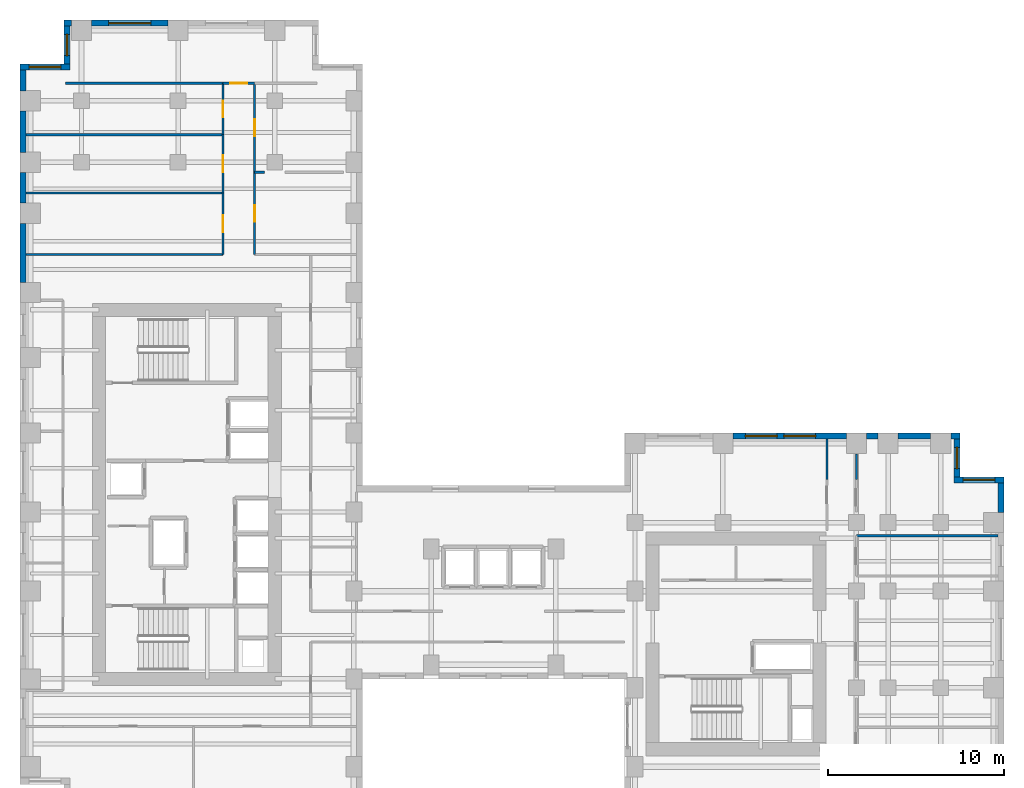
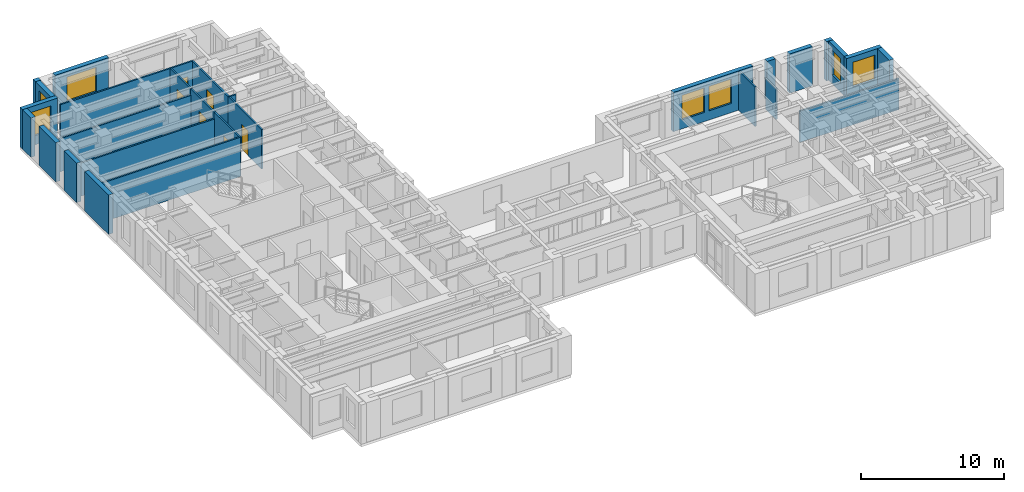
# One storey, part 9 of 12: 29 walls, 7 windows, 6 doors, 13 openings.
"""IFC4 building model written with IfcOpenShell, lengths in metres."""

from ifc_helpers import new_model, si_unit, direction, frame, frame_2d, origin, place, context, subcontext, project, spatial, rectangle, extrude, source, transform, mapped, material, layer, layer_set, type_object, element, fill, save


model = new_model("IFC4")

# Units and contexts
model_context = context("Model", 3, precision=1e-05, world=origin(), true_north=direction((0.0, 1.0)))
body_context = subcontext(model_context, "Body", "Model", "MODEL_VIEW")
ifc_project = project(units=[si_unit("LENGTHUNIT", "METRE"), si_unit("AREAUNIT", "SQUARE_METRE"), si_unit("VOLUMEUNIT", "CUBIC_METRE"), si_unit("PLANEANGLEUNIT", "RADIAN"), si_unit("MASSUNIT", "GRAM", prefix="KILO")], contexts=[model_context])

# Site, building, storey
site_placement = place(None, origin())
site = spatial("IfcSite", under=ifc_project, at=site_placement, CompositionType="ELEMENT")
building_placement = place(site_placement, origin())
building = spatial("IfcBuilding", under=site, at=building_placement, Name="Kharzan Plaza Tower", CompositionType="ELEMENT")
storey_placement = place(building_placement, frame((0.0, 0.0, 117.0)))
storey = spatial("IfcBuildingStorey", under=building, at=storey_placement, Name="L31", CompositionType="ELEMENT", Elevation=117.0)

# Wall, opening, window
ifc_material_1 = material(Name="Concrete C40/50", Category="concrete")
ifc_layer_1 = layer(ifc_material_1, 0.35009765625)
ifc_layer_set_1 = layer_set([ifc_layer_1], Name="Concrete C40/50")
wall_type_1 = type_object("IfcWallType", Name="WL-EXT-MAS-Z2", PredefinedType="SOLIDWALL", material=ifc_layer_set_1)
wall_1_placement = place(storey_placement, frame((8.427001953125, 45.824951171875, 0.0), z_axis=(0.0, 0.0, 1.0), x_axis=(-1.0, 0.0, 0.0)))
wall_1 = element("IfcWall", 1, at=wall_1_placement, inside=storey, type_object=wall_type_1, Name="L31 Masonry-Frame Exterior Wall 12", PredefinedType="SOLIDWALL", context=body_context, shape_type="SweptSolid", body=[
    extrude(rectangle(XDim=4.35400390625, YDim=0.35009765625, at=frame_2d((2.177001953125, 0.0))), origin(), (0.0, 0.0, 1.0), 3.364990234375),
])
opening_1_placement = place(wall_1_placement, frame((0.97705078125, 0.0, 0.780029296875)))
opening_1 = element("IfcOpeningElement", 2, at=opening_1_placement, cuts=wall_1, Name="Opening W2", PredefinedType="OPENING", context=body_context, shape_type="SweptSolid", body=[
    extrude(rectangle(XDim=2.39990234375, YDim=2.10009765625, at=frame_2d((1.199951171875, 1.050048828125))), frame((0.0, 0.18505859375, 0.0), z_axis=(0.0, -1.0, 0.0), x_axis=(1.0, 0.0, 0.0)), (0.0, 0.0, 1.0), 0.3701171875),
])
ifc_material_2 = material(Name="Low-E Double Glazing", Category="glass")
window_type_1 = type_object("IfcWindowType", Name="WN-REC-2400x2100", PartitioningType="SINGLE_PANEL", PredefinedType="WINDOW", material=ifc_material_2)
shared_shape_1 = source(origin(), body_context, "Body", "SweptSolid", [
    extrude(rectangle(XDim=2.39990234375, YDim=2.10009765625, at=frame_2d((1.199951171875, 1.050048828125))), frame((0.0, 0.030029296875, 0.0), z_axis=(0.0, -1.0, 0.0), x_axis=(1.0, 0.0, 0.0)), (0.0, 0.0, 1.0), 0.06005859375),
])
window_1_placement = place(opening_1_placement, origin())
window_1 = element("IfcWindow", 3, at=window_1_placement, inside=storey, type_object=window_type_1, Name="L31 Wide Recessed Solar-Control Window 12-1", OverallHeight=2.10009765625, OverallWidth=2.39990234375, PartitioningType="SINGLE_PANEL", PredefinedType="WINDOW", context=body_context, shape_type="MappedRepresentation", body=[
    mapped(shared_shape_1, transform((0.0, 0.0, 0.0), x_axis=(1.0, 0.0, 0.0), y_axis=(0.0, 1.0, 0.0), z_axis=(0.0, 0.0, 1.0))),
])
fill(opening_1, window_1)

wall_2_placement = place(storey_placement, frame((2.675048828125, 45.652099609375, 0.0), z_axis=(0.0, 0.0, 1.0), x_axis=(0.0, -1.0, 0.0)))
wall_2 = element("IfcWall", 4, at=wall_2_placement, inside=storey, type_object=wall_type_1, Name="L31 Masonry-Frame Exterior Wall 14", PredefinedType="SOLIDWALL", context=body_context, shape_type="SweptSolid", body=[
    extrude(rectangle(XDim=2.154052734375, YDim=0.35009765625, at=frame_2d((1.0771484375, 0.0))), origin(), (0.0, 0.0, 1.0), 3.364990234375),
])
opening_2_placement = place(wall_2_placement, frame((0.47705078125, 0.0, 0.780029296875)))
opening_2 = element("IfcOpeningElement", 5, at=opening_2_placement, cuts=wall_2, Name="Opening W3", PredefinedType="OPENING", context=body_context, shape_type="SweptSolid", body=[
    extrude(rectangle(XDim=1.199951171875, YDim=2.10009765625, at=frame_2d((0.60009765625, 1.050048828125))), frame((0.0, 0.18505859375, 0.0), z_axis=(0.0, -1.0, 0.0), x_axis=(1.0, 0.0, 0.0)), (0.0, 0.0, 1.0), 0.3701171875),
])
window_type_2 = type_object("IfcWindowType", Name="WN-REC-1200x2100", PartitioningType="SINGLE_PANEL", PredefinedType="WINDOW", material=ifc_material_2)
shared_shape_2 = source(origin(), body_context, "Body", "SweptSolid", [
    extrude(rectangle(XDim=1.199951171875, YDim=2.10009765625, at=frame_2d((0.60009765625, 1.050048828125))), frame((0.0, 0.030029296875, 0.0), z_axis=(0.0, -1.0, 0.0), x_axis=(1.0, 0.0, 0.0)), (0.0, 0.0, 1.0), 0.06005859375),
])
window_2_placement = place(opening_2_placement, origin())
window_2 = element("IfcWindow", 6, at=window_2_placement, inside=storey, type_object=window_type_2, Name="L31 Recessed Solar-Control Window 14-1", OverallHeight=2.10009765625, OverallWidth=1.199951171875, PartitioningType="SINGLE_PANEL", PredefinedType="WINDOW", context=body_context, shape_type="MappedRepresentation", body=[
    mapped(shared_shape_2, transform((0.0, 0.0, 0.0), x_axis=(1.0, 0.0, 0.0), y_axis=(0.0, 1.0, 0.0), z_axis=(0.0, 0.0, 1.0))),
])
fill(opening_2, window_2)

wall_3_placement = place(storey_placement, frame((2.85009765625, 43.324951171875, 0.0), z_axis=(0.0, 0.0, 1.0), x_axis=(-1.0, 0.0, 0.0)))
wall_3 = element("IfcWall", 7, at=wall_3_placement, inside=storey, type_object=wall_type_1, Name="L31 Masonry-Frame Exterior Wall 15", PredefinedType="SOLIDWALL", context=body_context, shape_type="SweptSolid", body=[
    extrude(rectangle(XDim=2.85009765625, YDim=0.35009765625, at=frame_2d((1.425048828125, 0.0))), origin(), (0.0, 0.0, 1.0), 3.364990234375),
])
opening_3_placement = place(wall_3_placement, frame((0.52490234375, 0.0, 0.780029296875)))
opening_3 = element("IfcOpeningElement", 8, at=opening_3_placement, cuts=wall_3, Name="Opening W1", PredefinedType="OPENING", context=body_context, shape_type="SweptSolid", body=[
    extrude(rectangle(XDim=1.800048828125, YDim=2.10009765625, at=frame_2d((0.89990234375, 1.050048828125))), frame((0.0, 0.18505859375, 0.0), z_axis=(0.0, -1.0, 0.0), x_axis=(1.0, 0.0, 0.0)), (0.0, 0.0, 1.0), 0.3701171875),
])
window_type_3 = type_object("IfcWindowType", Name="WN-REC-1800x2100", PartitioningType="SINGLE_PANEL", PredefinedType="WINDOW", material=ifc_material_2)
shared_shape_3 = source(origin(), body_context, "Body", "SweptSolid", [
    extrude(rectangle(XDim=1.800048828125, YDim=2.10009765625, at=frame_2d((0.89990234375, 1.050048828125))), frame((0.0, 0.030029296875, 0.0), z_axis=(0.0, -1.0, 0.0), x_axis=(1.0, 0.0, 0.0)), (0.0, 0.0, 1.0), 0.06005859375),
])
window_3_placement = place(opening_3_placement, origin())
window_3 = element("IfcWindow", 9, at=window_3_placement, inside=storey, type_object=window_type_3, Name="L31 Recessed Solar-Control Window 15-1", OverallHeight=2.10009765625, OverallWidth=1.800048828125, PartitioningType="SINGLE_PANEL", PredefinedType="WINDOW", context=body_context, shape_type="MappedRepresentation", body=[
    mapped(shared_shape_3, transform((0.0, 0.0, 0.0), x_axis=(1.0, 0.0, 0.0), y_axis=(0.0, 1.0, 0.0), z_axis=(0.0, 0.0, 1.0))),
])
fill(opening_3, window_3)

wall_4_placement = place(storey_placement, frame((56.0, 19.824951171875, 0.0), z_axis=(0.0, 0.0, 1.0), x_axis=(-1.0, 0.0, 0.0)))
wall_4 = element("IfcWall", 10, at=wall_4_placement, inside=storey, type_object=wall_type_1, Name="L31 Masonry-Frame Exterior Wall 51", PredefinedType="SOLIDWALL", context=body_context, shape_type="SweptSolid", body=[
    extrude(rectangle(XDim=2.85009765625, YDim=0.35009765625, at=frame_2d((1.425048828125, 0.0))), origin(), (0.0, 0.0, 1.0), 3.364990234375),
])
opening_4_placement = place(wall_4_placement, frame((0.52490234375, 0.0, 0.780029296875)))
opening_4 = element("IfcOpeningElement", 11, at=opening_4_placement, cuts=wall_4, Name="Opening W1", PredefinedType="OPENING", context=body_context, shape_type="SweptSolid", body=[
    extrude(rectangle(XDim=1.800048828125, YDim=2.10009765625, at=frame_2d((0.89990234375, 1.050048828125))), frame((0.0, 0.18505859375, 0.0), z_axis=(0.0, -1.0, 0.0), x_axis=(1.0, 0.0, 0.0)), (0.0, 0.0, 1.0), 0.3701171875),
])
window_4_placement = place(opening_4_placement, origin())
window_4 = element("IfcWindow", 12, at=window_4_placement, inside=storey, type_object=window_type_3, Name="L31 Recessed Solar-Control Window 51-1", OverallHeight=2.10009765625, OverallWidth=1.800048828125, PartitioningType="SINGLE_PANEL", PredefinedType="WINDOW", context=body_context, shape_type="MappedRepresentation", body=[
    mapped(shared_shape_3, transform((0.0, 0.0, 0.0), x_axis=(1.0, 0.0, 0.0), y_axis=(0.0, 1.0, 0.0), z_axis=(0.0, 0.0, 1.0))),
])
fill(opening_4, window_4)

wall_5_placement = place(storey_placement, frame((53.324951171875, 19.998046875, 0.0), z_axis=(0.0, 0.0, 1.0), x_axis=(0.0, 1.0, 0.0)))
wall_5 = element("IfcWall", 13, at=wall_5_placement, inside=storey, type_object=wall_type_1, Name="L31 Masonry-Frame Exterior Wall 52", PredefinedType="SOLIDWALL", context=body_context, shape_type="SweptSolid", body=[
    extrude(rectangle(XDim=2.154052734375, YDim=0.35009765625, at=frame_2d((1.0771484375, 0.0))), origin(), (0.0, 0.0, 1.0), 3.364990234375),
])
opening_5_placement = place(wall_5_placement, frame((0.47705078125, 0.0, 0.780029296875)))
opening_5 = element("IfcOpeningElement", 14, at=opening_5_placement, cuts=wall_5, Name="Opening W3", PredefinedType="OPENING", context=body_context, shape_type="SweptSolid", body=[
    extrude(rectangle(XDim=1.199951171875, YDim=2.10009765625, at=frame_2d((0.60009765625, 1.050048828125))), frame((0.0, 0.18505859375, 0.0), z_axis=(0.0, -1.0, 0.0), x_axis=(1.0, 0.0, 0.0)), (0.0, 0.0, 1.0), 0.3701171875),
])
window_5_placement = place(opening_5_placement, origin())
window_5 = element("IfcWindow", 15, at=window_5_placement, inside=storey, type_object=window_type_2, Name="L31 Recessed Solar-Control Window 52-1", OverallHeight=2.10009765625, OverallWidth=1.199951171875, PartitioningType="SINGLE_PANEL", PredefinedType="WINDOW", context=body_context, shape_type="MappedRepresentation", body=[
    mapped(shared_shape_2, transform((0.0, 0.0, 0.0), x_axis=(1.0, 0.0, 0.0), y_axis=(0.0, 1.0, 0.0), z_axis=(0.0, 0.0, 1.0))),
])
fill(opening_5, window_5)

# Wall, openings, windows
wall_6_placement = place(storey_placement, frame((47.027099609375, 22.324951171875, 0.0), z_axis=(0.0, 0.0, 1.0), x_axis=(-1.0, 0.0, 0.0)))
wall_6 = element("IfcWall", 16, at=wall_6_placement, inside=storey, type_object=wall_type_1, Name="L31 Masonry-Frame Exterior Wall 56", PredefinedType="SOLIDWALL", context=body_context, shape_type="SweptSolid", body=[
    extrude(rectangle(XDim=6.4541015625, YDim=0.35009765625, at=frame_2d((3.22705078125, 0.0))), origin(), (0.0, 0.0, 1.0), 3.364990234375),
])
opening_6_placement = place(wall_6_placement, frame((1.749267578125, 0.0, 0.780029296875)))
opening_6 = element("IfcOpeningElement", 17, at=opening_6_placement, cuts=wall_6, Name="Opening W1", PredefinedType="OPENING", context=body_context, shape_type="SweptSolid", body=[
    extrude(rectangle(XDim=1.800048828125, YDim=2.10009765625, at=frame_2d((0.89990234375, 1.050048828125))), frame((0.0, 0.18505859375, 0.0), z_axis=(0.0, -1.0, 0.0), x_axis=(1.0, 0.0, 0.0)), (0.0, 0.0, 1.0), 0.3701171875),
])
opening_7_placement = place(wall_6_placement, frame((3.941650390625, 0.0, 0.780029296875)))
opening_7 = element("IfcOpeningElement", 18, at=opening_7_placement, cuts=wall_6, Name="Opening W1", PredefinedType="OPENING", context=body_context, shape_type="SweptSolid", body=[
    extrude(rectangle(XDim=1.800048828125, YDim=2.10009765625, at=frame_2d((0.89990234375, 1.050048828125))), frame((0.0, 0.18505859375, 0.0), z_axis=(0.0, -1.0, 0.0), x_axis=(1.0, 0.0, 0.0)), (0.0, 0.0, 1.0), 0.3701171875),
])
window_6_placement = place(opening_6_placement, origin())
window_6 = element("IfcWindow", 19, at=window_6_placement, inside=storey, type_object=window_type_3, Name="L31 Recessed Solar-Control Window 56-1", OverallHeight=2.10009765625, OverallWidth=1.800048828125, PartitioningType="SINGLE_PANEL", PredefinedType="WINDOW", context=body_context, shape_type="MappedRepresentation", body=[
    mapped(shared_shape_3, transform((0.0, 0.0, 0.0), x_axis=(1.0, 0.0, 0.0), y_axis=(0.0, 1.0, 0.0), z_axis=(0.0, 0.0, 1.0))),
])
fill(opening_6, window_6)
window_7_placement = place(opening_7_placement, origin())
window_7 = element("IfcWindow", 20, at=window_7_placement, inside=storey, type_object=window_type_3, Name="L31 Recessed Solar-Control Window 56-2", OverallHeight=2.10009765625, OverallWidth=1.800048828125, PartitioningType="SINGLE_PANEL", PredefinedType="WINDOW", context=body_context, shape_type="MappedRepresentation", body=[
    mapped(shared_shape_3, transform((0.0, 0.0, 0.0), x_axis=(1.0, 0.0, 0.0), y_axis=(0.0, 1.0, 0.0), z_axis=(0.0, 0.0, 1.0))),
])
fill(opening_7, window_7)

# Wall, opening, door
ifc_material_3 = material(Name="Fire-Rated Gypsum Board Partition", Category="gypsum")
ifc_layer_2 = layer(ifc_material_3, 0.125)
ifc_layer_set_2 = layer_set([ifc_layer_2], Name="Fire-Rated Gypsum Board Partition")
wall_type_2 = type_object("IfcWallType", Name="WL-INT-PART-125", PredefinedType="PARTITIONING", material=ifc_layer_set_2)
wall_7_placement = place(storey_placement, frame((13.35009765625, 32.64990234375, 0.0), z_axis=(0.0, 0.0, 1.0), x_axis=(0.0, 1.0, 0.0)))
wall_7 = element("IfcWall", 21, at=wall_7_placement, inside=storey, type_object=wall_type_2, Name="L31 Interior Partition SH-SPE-1", PredefinedType="PARTITIONING", context=body_context, shape_type="SweptSolid", body=[
    extrude(rectangle(XDim=4.68017578125, YDim=0.125, at=frame_2d((2.340087890625, 0.0))), origin(), (0.0, 0.0, 1.0), 3.364990234375),
])
opening_8_placement = place(wall_7_placement, frame((1.864990234375, 0.0, 0.0)))
opening_8 = element("IfcOpeningElement", 22, at=opening_8_placement, cuts=wall_7, Name="Opening OD1", PredefinedType="OPENING", context=body_context, shape_type="SweptSolid", body=[
    extrude(rectangle(XDim=0.949951171875, YDim=2.14990234375, at=frame_2d((0.47509765625, 1.074951171875))), frame((0.0, 0.072509765625, 0.0), z_axis=(0.0, -1.0, 0.0), x_axis=(1.0, 0.0, 0.0)), (0.0, 0.0, 1.0), 0.14501953125),
])
ifc_material_4 = material(Name="Acoustic Solid-Core Stained Oak", Category="timber")
door_type = type_object("IfcDoorType", Name="DR-OFF-SINGLE", OperationType="NOTDEFINED", PredefinedType="DOOR", material=ifc_material_4)
shared_shape_4 = source(origin(), body_context, "Body", "SweptSolid", [
    extrude(rectangle(XDim=0.949951171875, YDim=2.14990234375, at=frame_2d((0.47509765625, 1.074951171875))), frame((0.0, 0.02490234375, 0.0), z_axis=(0.0, -1.0, 0.0), x_axis=(1.0, 0.0, 0.0)), (0.0, 0.0, 1.0), 0.050048828125),
])
door_1_placement = place(opening_8_placement, origin())
door_1 = element("IfcDoor", 23, at=door_1_placement, inside=storey, type_object=door_type, Name="L31 Occupational Health Treatment Room Door", OperationType="SINGLE_SWING_RIGHT", OverallHeight=2.14990234375, OverallWidth=0.949951171875, PredefinedType="DOOR", context=body_context, shape_type="MappedRepresentation", body=[
    mapped(shared_shape_4, transform((0.0, 0.0, 0.0), x_axis=(1.0, 0.0, 0.0), y_axis=(0.0, 1.0, 0.0), z_axis=(0.0, 0.0, 1.0))),
])
fill(opening_8, door_1)

wall_8_placement = place(storey_placement, frame((13.35009765625, 37.330078125, 0.0), z_axis=(0.0, 0.0, 1.0), x_axis=(0.0, 1.0, 0.0)))
wall_8 = element("IfcWall", 24, at=wall_8_placement, inside=storey, type_object=wall_type_2, Name="L31 Interior Partition SH-SPE-2", PredefinedType="PARTITIONING", context=body_context, shape_type="SweptSolid", body=[
    extrude(rectangle(XDim=5.06982421875, YDim=0.125, at=frame_2d((2.534912109375, 0.0))), origin(), (0.0, 0.0, 1.0), 3.364990234375),
])
opening_9_placement = place(wall_8_placement, frame((2.06005859375, 0.0, 0.0)))
opening_9 = element("IfcOpeningElement", 25, at=opening_9_placement, cuts=wall_8, Name="Opening OD1", PredefinedType="OPENING", context=body_context, shape_type="SweptSolid", body=[
    extrude(rectangle(XDim=0.949951171875, YDim=2.14990234375, at=frame_2d((0.47509765625, 1.074951171875))), frame((0.0, 0.072509765625, 0.0), z_axis=(0.0, -1.0, 0.0), x_axis=(1.0, 0.0, 0.0)), (0.0, 0.0, 1.0), 0.14501953125),
])
door_2_placement = place(opening_9_placement, origin())
door_2 = element("IfcDoor", 26, at=door_2_placement, inside=storey, type_object=door_type, Name="L31 Occupational Health Treatment Room Door", OperationType="SINGLE_SWING_LEFT", OverallHeight=2.14990234375, OverallWidth=0.949951171875, PredefinedType="DOOR", context=body_context, shape_type="MappedRepresentation", body=[
    mapped(shared_shape_4, transform((0.0, 0.0, 0.0), x_axis=(1.0, 0.0, 0.0), y_axis=(0.0, 1.0, 0.0), z_axis=(0.0, 0.0, 1.0))),
])
fill(opening_9, door_2)

wall_9_placement = place(storey_placement, frame((11.550048828125, 42.39990234375, 0.0), z_axis=(0.0, 0.0, 1.0), x_axis=(1.0, 0.0, 0.0)))
wall_9 = element("IfcWall", 27, at=wall_9_placement, inside=storey, type_object=wall_type_2, Name="L31 Interior Partition SH-SPHD", PredefinedType="PARTITIONING", context=body_context, shape_type="SweptSolid", body=[
    extrude(rectangle(XDim=1.800048828125, YDim=0.125, at=frame_2d((0.89990234375, 0.0))), origin(), (0.0, 0.0, 1.0), 3.364990234375),
])
opening_10_placement = place(wall_9_placement, frame((0.425048828125, 0.0, 0.0)))
opening_10 = element("IfcOpeningElement", 28, at=opening_10_placement, cuts=wall_9, Name="Opening OD1", PredefinedType="OPENING", context=body_context, shape_type="SweptSolid", body=[
    extrude(rectangle(XDim=0.949951171875, YDim=2.14990234375, at=frame_2d((0.47509765625, 1.074951171875))), frame((0.0, 0.072509765625, 0.0), z_axis=(0.0, -1.0, 0.0), x_axis=(1.0, 0.0, 0.0)), (0.0, 0.0, 1.0), 0.14501953125),
])
door_3_placement = place(opening_10_placement, origin())
door_3 = element("IfcDoor", 29, at=door_3_placement, inside=storey, type_object=door_type, Name="L31 North Boardroom Door", OperationType="SINGLE_SWING_RIGHT", OverallHeight=2.14990234375, OverallWidth=0.949951171875, PredefinedType="DOOR", context=body_context, shape_type="MappedRepresentation", body=[
    mapped(shared_shape_4, transform((0.0, 0.0, 0.0), x_axis=(1.0, 0.0, 0.0), y_axis=(0.0, 1.0, 0.0), z_axis=(0.0, 0.0, 1.0))),
])
fill(opening_10, door_3)

wall_10_placement = place(storey_placement, frame((11.550048828125, 32.64990234375, 0.0), z_axis=(0.0, 0.0, 1.0), x_axis=(0.0, 1.0, 0.0)))
wall_10 = element("IfcWall", 30, at=wall_10_placement, inside=storey, type_object=wall_type_2, Name="L31 Interior Partition SH-SPW-1", PredefinedType="PARTITIONING", context=body_context, shape_type="SweptSolid", body=[
    extrude(rectangle(XDim=3.510009765625, YDim=0.125, at=frame_2d((1.7548828125, 0.0))), origin(), (0.0, 0.0, 1.0), 3.364990234375),
])
opening_11_placement = place(wall_10_placement, frame((1.280029296875, 0.0, 0.0)))
opening_11 = element("IfcOpeningElement", 31, at=opening_11_placement, cuts=wall_10, Name="Opening OD1", PredefinedType="OPENING", context=body_context, shape_type="SweptSolid", body=[
    extrude(rectangle(XDim=0.949951171875, YDim=2.14990234375, at=frame_2d((0.47509765625, 1.074951171875))), frame((0.0, 0.072509765625, 0.0), z_axis=(0.0, -1.0, 0.0), x_axis=(1.0, 0.0, 0.0)), (0.0, 0.0, 1.0), 0.14501953125),
])
door_4_placement = place(opening_11_placement, origin())
door_4 = element("IfcDoor", 32, at=door_4_placement, inside=storey, type_object=door_type, Name="L31 Staff Refreshment Pantry Door", OperationType="SINGLE_SWING_LEFT", OverallHeight=2.14990234375, OverallWidth=0.949951171875, PredefinedType="DOOR", context=body_context, shape_type="MappedRepresentation", body=[
    mapped(shared_shape_4, transform((0.0, 0.0, 0.0), x_axis=(1.0, 0.0, 0.0), y_axis=(0.0, 1.0, 0.0), z_axis=(0.0, 0.0, 1.0))),
])
fill(opening_11, door_4)

wall_11_placement = place(storey_placement, frame((11.550048828125, 36.159912109375, 0.0), z_axis=(0.0, 0.0, 1.0), x_axis=(0.0, 1.0, 0.0)))
wall_11 = element("IfcWall", 33, at=wall_11_placement, inside=storey, type_object=wall_type_2, Name="L31 Interior Partition SH-SPW-2", PredefinedType="PARTITIONING", context=body_context, shape_type="SweptSolid", body=[
    extrude(rectangle(XDim=3.315185546875, YDim=0.125, at=frame_2d((1.65771484375, 0.0))), origin(), (0.0, 0.0, 1.0), 3.364990234375),
])
opening_12_placement = place(wall_11_placement, frame((1.1826171875, 0.0, 0.0)))
opening_12 = element("IfcOpeningElement", 34, at=opening_12_placement, cuts=wall_11, Name="Opening OD1", PredefinedType="OPENING", context=body_context, shape_type="SweptSolid", body=[
    extrude(rectangle(XDim=0.949951171875, YDim=2.14990234375, at=frame_2d((0.47509765625, 1.074951171875))), frame((0.0, 0.072509765625, 0.0), z_axis=(0.0, -1.0, 0.0), x_axis=(1.0, 0.0, 0.0)), (0.0, 0.0, 1.0), 0.14501953125),
])
door_5_placement = place(opening_12_placement, origin())
door_5 = element("IfcDoor", 35, at=door_5_placement, inside=storey, type_object=door_type, Name="L31 Staff Refreshment Pantry Door", OperationType="SINGLE_SWING_RIGHT", OverallHeight=2.14990234375, OverallWidth=0.949951171875, PredefinedType="DOOR", context=body_context, shape_type="MappedRepresentation", body=[
    mapped(shared_shape_4, transform((0.0, 0.0, 0.0), x_axis=(1.0, 0.0, 0.0), y_axis=(0.0, 1.0, 0.0), z_axis=(0.0, 0.0, 1.0))),
])
fill(opening_12, door_5)

wall_12_placement = place(storey_placement, frame((11.550048828125, 39.47509765625, 0.0), z_axis=(0.0, 0.0, 1.0), x_axis=(0.0, 1.0, 0.0)))
wall_12 = element("IfcWall", 36, at=wall_12_placement, inside=storey, type_object=wall_type_2, Name="L31 Interior Partition SH-SPW-3", PredefinedType="PARTITIONING", context=body_context, shape_type="SweptSolid", body=[
    extrude(rectangle(XDim=2.9248046875, YDim=0.125, at=frame_2d((1.46240234375, 0.0))), origin(), (0.0, 0.0, 1.0), 3.364990234375),
])
opening_13_placement = place(wall_12_placement, frame((0.987548828125, 0.0, 0.0)))
opening_13 = element("IfcOpeningElement", 37, at=opening_13_placement, cuts=wall_12, Name="Opening OD1", PredefinedType="OPENING", context=body_context, shape_type="SweptSolid", body=[
    extrude(rectangle(XDim=0.949951171875, YDim=2.14990234375, at=frame_2d((0.47509765625, 1.074951171875))), frame((0.0, 0.072509765625, 0.0), z_axis=(0.0, -1.0, 0.0), x_axis=(1.0, 0.0, 0.0)), (0.0, 0.0, 1.0), 0.14501953125),
])
door_6_placement = place(opening_13_placement, origin())
door_6 = element("IfcDoor", 38, at=door_6_placement, inside=storey, type_object=door_type, Name="L31 Physiotherapy Treatment Room Door", OperationType="SINGLE_SWING_LEFT", OverallHeight=2.14990234375, OverallWidth=0.949951171875, PredefinedType="DOOR", context=body_context, shape_type="MappedRepresentation", body=[
    mapped(shared_shape_4, transform((0.0, 0.0, 0.0), x_axis=(1.0, 0.0, 0.0), y_axis=(0.0, 1.0, 0.0), z_axis=(0.0, 0.0, 1.0))),
])
fill(opening_13, door_6)

# Walls
shared_shape_5 = source(origin(), body_context, "Body", "SweptSolid", [
    extrude(rectangle(XDim=2.2978515625, YDim=0.125, at=frame_2d((1.14892578125, 0.0))), origin(), (0.0, 0.0, 1.0), 3.364990234375),
])
wall_13_placement = place(storey_placement, frame((45.919921875, 19.85009765625, 0.0), z_axis=(0.0, 0.0, 1.0), x_axis=(0.0, 1.0, 0.0)))
element("IfcWall", 39, at=wall_13_placement, inside=storey, type_object=wall_type_2, Name="L31 Interior Partition SH-RBNE0", PredefinedType="PARTITIONING", context=body_context, shape_type="MappedRepresentation", body=[
    mapped(shared_shape_5, transform((0.0, 0.0, 0.0), x_axis=(1.0, 0.0, 0.0), y_axis=(0.0, 1.0, 0.0), z_axis=(0.0, 0.0, 1.0))),
])
shared_shape_6 = source(origin(), body_context, "Body", "SweptSolid", [
    extrude(rectangle(XDim=11.197998046875, YDim=0.125, at=frame_2d((5.59912109375, 0.0))), origin(), (0.0, 0.0, 1.0), 3.364990234375),
])
wall_14_placement = place(storey_placement, frame((0.35205078125, 32.64990234375, 0.0), z_axis=(0.0, 0.0, 1.0), x_axis=(1.0, 0.0, 0.0)))
element("IfcWall", 40, at=wall_14_placement, inside=storey, type_object=wall_type_2, Name="L31 Interior Partition SH-NNW", PredefinedType="PARTITIONING", context=body_context, shape_type="MappedRepresentation", body=[
    mapped(shared_shape_6, transform((0.0, 0.0, 0.0), x_axis=(1.0, 0.0, 0.0), y_axis=(0.0, 1.0, 0.0), z_axis=(0.0, 0.0, 1.0))),
])
shared_shape_7 = source(origin(), body_context, "Body", "SweptSolid", [
    extrude(rectangle(XDim=8.949951171875, YDim=0.125, at=frame_2d((4.47509765625, 0.0))), origin(), (0.0, 0.0, 1.0), 3.364990234375),
])
wall_15_placement = place(storey_placement, frame((2.60009765625, 42.39990234375, 0.0), z_axis=(0.0, 0.0, 1.0), x_axis=(1.0, 0.0, 0.0)))
element("IfcWall", 41, at=wall_15_placement, inside=storey, type_object=wall_type_2, Name="L31 Interior Partition SH-SPHW", PredefinedType="PARTITIONING", context=body_context, shape_type="MappedRepresentation", body=[
    mapped(shared_shape_7, transform((0.0, 0.0, 0.0), x_axis=(1.0, 0.0, 0.0), y_axis=(0.0, 1.0, 0.0), z_axis=(0.0, 0.0, 1.0))),
])
shared_shape_8 = source(origin(), body_context, "Body", "SweptSolid", [
    extrude(rectangle(XDim=11.197998046875, YDim=0.125, at=frame_2d((5.59912109375, 0.0))), origin(), (0.0, 0.0, 1.0), 2.827880859375),
])
for number, where, z_axis, x_axis, name in (
    (42, (0.35205078125, 36.159912109375, 0.0), (0.0, 0.0, 1.0), (1.0, 0.0, 0.0), "L31 Interior Partition SH-NWH-1"),
    (43, (0.35205078125, 39.47509765625, 0.0), (0.0, 0.0, 1.0), (1.0, 0.0, 0.0), "L31 Interior Partition SH-NWH-2"),
):
    element("IfcWall", number, at=place(storey_placement, frame(where, z_axis=z_axis, x_axis=x_axis)), inside=storey, type_object=wall_type_2, Name=name, PredefinedType="PARTITIONING", context=body_context, shape_type="MappedRepresentation", body=[
        mapped(shared_shape_8, transform((0.0, 0.0, 0.0), x_axis=(1.0, 0.0, 0.0), y_axis=(0.0, 1.0, 0.0), z_axis=(0.0, 0.0, 1.0))),
    ])
shared_shape_9 = source(origin(), body_context, "Body", "SweptSolid", [
    extrude(rectangle(XDim=0.427001953125, YDim=0.35009765625, at=frame_2d((0.21337890625, 0.0))), origin(), (0.0, 0.0, 1.0), 3.364990234375),
])
wall_16_placement = place(storey_placement, frame((2.927001953125, 45.824951171875, 0.0), z_axis=(0.0, 0.0, 1.0), x_axis=(-1.0, 0.0, 0.0)))
element("IfcWall", 44, at=wall_16_placement, inside=storey, type_object=wall_type_1, Name="L31 Masonry-Frame Exterior Wall 13", PredefinedType="SOLIDWALL", context=body_context, shape_type="MappedRepresentation", body=[
    mapped(shared_shape_9, transform((0.0, 0.0, 0.0), x_axis=(1.0, 0.0, 0.0), y_axis=(0.0, 1.0, 0.0), z_axis=(0.0, 0.0, 1.0))),
])
shared_shape_10 = source(origin(), body_context, "Body", "SweptSolid", [
    extrude(rectangle(XDim=1.17919921875, YDim=0.35009765625, at=frame_2d((0.589599609375, 0.0))), origin(), (0.0, 0.0, 1.0), 3.364990234375),
])
wall_17_placement = place(storey_placement, frame((0.175048828125, 43.152099609375, 0.0), z_axis=(0.0, 0.0, 1.0), x_axis=(0.0, -1.0, 0.0)))
element("IfcWall", 45, at=wall_17_placement, inside=storey, type_object=wall_type_1, Name="L31 Masonry-Frame Exterior Wall 16", PredefinedType="SOLIDWALL", context=body_context, shape_type="MappedRepresentation", body=[
    mapped(shared_shape_10, transform((0.0, 0.0, 0.0), x_axis=(1.0, 0.0, 0.0), y_axis=(0.0, 1.0, 0.0), z_axis=(0.0, 0.0, 1.0))),
])
shared_shape_11 = source(origin(), body_context, "Body", "SweptSolid", [
    extrude(rectangle(XDim=1.75390625, YDim=0.35009765625, at=frame_2d((0.876953125, 0.0))), origin(), (0.0, 0.0, 1.0), 3.364990234375),
])
wall_18_placement = place(storey_placement, frame((0.175048828125, 37.326904296875, 0.0), z_axis=(0.0, 0.0, 1.0), x_axis=(0.0, -1.0, 0.0)))
element("IfcWall", 46, at=wall_18_placement, inside=storey, type_object=wall_type_1, Name="L31 Masonry-Frame Exterior Wall 18", PredefinedType="SOLIDWALL", context=body_context, shape_type="MappedRepresentation", body=[
    mapped(shared_shape_11, transform((0.0, 0.0, 0.0), x_axis=(1.0, 0.0, 0.0), y_axis=(0.0, 1.0, 0.0), z_axis=(0.0, 0.0, 1.0))),
])
shared_shape_12 = source(origin(), body_context, "Body", "SweptSolid", [
    extrude(rectangle(XDim=0.65380859375, YDim=0.35009765625, at=frame_2d((0.326904296875, 0.0))), origin(), (0.0, 0.0, 1.0), 3.364990234375),
])
wall_19_placement = place(storey_placement, frame((48.826904296875, 22.324951171875, 0.0), z_axis=(0.0, 0.0, 1.0), x_axis=(-1.0, 0.0, 0.0)))
element("IfcWall", 47, at=wall_19_placement, inside=storey, type_object=wall_type_1, Name="L31 Masonry-Frame Exterior Wall 55", PredefinedType="SOLIDWALL", context=body_context, shape_type="MappedRepresentation", body=[
    mapped(shared_shape_12, transform((0.0, 0.0, 0.0), x_axis=(1.0, 0.0, 0.0), y_axis=(0.0, 1.0, 0.0), z_axis=(0.0, 0.0, 1.0))),
])
shared_shape_13 = source(origin(), body_context, "Body", "SweptSolid", [
    extrude(rectangle(XDim=1.85400390625, YDim=0.35009765625, at=frame_2d((0.927001953125, 0.0))), origin(), (0.0, 0.0, 1.0), 3.364990234375),
])
wall_20_placement = place(storey_placement, frame((51.826904296875, 22.324951171875, 0.0), z_axis=(0.0, 0.0, 1.0), x_axis=(-1.0, 0.0, 0.0)))
element("IfcWall", 48, at=wall_20_placement, inside=storey, type_object=wall_type_1, Name="L31 Masonry-Frame Exterior Wall 54", PredefinedType="SOLIDWALL", context=body_context, shape_type="MappedRepresentation", body=[
    mapped(shared_shape_13, transform((0.0, 0.0, 0.0), x_axis=(1.0, 0.0, 0.0), y_axis=(0.0, 1.0, 0.0), z_axis=(0.0, 0.0, 1.0))),
])
shared_shape_14 = source(origin(), body_context, "Body", "SweptSolid", [
    extrude(rectangle(XDim=0.527099609375, YDim=0.35009765625, at=frame_2d((0.263671875, 0.0))), origin(), (0.0, 0.0, 1.0), 3.364990234375),
])
wall_21_placement = place(storey_placement, frame((53.5, 22.324951171875, 0.0), z_axis=(0.0, 0.0, 1.0), x_axis=(-1.0, 0.0, 0.0)))
element("IfcWall", 49, at=wall_21_placement, inside=storey, type_object=wall_type_1, Name="L31 Masonry-Frame Exterior Wall 53", PredefinedType="SOLIDWALL", context=body_context, shape_type="MappedRepresentation", body=[
    mapped(shared_shape_14, transform((0.0, 0.0, 0.0), x_axis=(1.0, 0.0, 0.0), y_axis=(0.0, 1.0, 0.0), z_axis=(0.0, 0.0, 1.0))),
])
shared_shape_15 = source(origin(), body_context, "Body", "SweptSolid", [
    extrude(rectangle(XDim=3.35400390625, YDim=0.35009765625, at=frame_2d((1.677001953125, 0.0))), origin(), (0.0, 0.0, 1.0), 3.364990234375),
])
wall_22_placement = place(storey_placement, frame((0.175048828125, 34.427001953125, 0.0), z_axis=(0.0, 0.0, 1.0), x_axis=(0.0, -1.0, 0.0)))
element("IfcWall", 50, at=wall_22_placement, inside=storey, type_object=wall_type_1, Name="L31 Masonry-Frame Exterior Wall 19", PredefinedType="SOLIDWALL", context=body_context, shape_type="MappedRepresentation", body=[
    mapped(shared_shape_15, transform((0.0, 0.0, 0.0), x_axis=(1.0, 0.0, 0.0), y_axis=(0.0, 1.0, 0.0), z_axis=(0.0, 0.0, 1.0))),
])
shared_shape_16 = source(origin(), body_context, "Body", "SweptSolid", [
    extrude(rectangle(XDim=1.67919921875, YDim=0.35009765625, at=frame_2d((0.839599609375, 0.0))), origin(), (0.0, 0.0, 1.0), 3.364990234375),
])
wall_23_placement = place(storey_placement, frame((55.824951171875, 17.972900390625, 0.0), z_axis=(0.0, 0.0, 1.0), x_axis=(0.0, 1.0, 0.0)))
element("IfcWall", 51, at=wall_23_placement, inside=storey, type_object=wall_type_1, Name="L31 Masonry-Frame Exterior Wall 50", PredefinedType="SOLIDWALL", context=body_context, shape_type="MappedRepresentation", body=[
    mapped(shared_shape_16, transform((0.0, 0.0, 0.0), x_axis=(1.0, 0.0, 0.0), y_axis=(0.0, 1.0, 0.0), z_axis=(0.0, 0.0, 1.0))),
])
shared_shape_17 = source(origin(), body_context, "Body", "SweptSolid", [
    extrude(rectangle(XDim=1.4599609375, YDim=0.125, at=frame_2d((0.72998046875, 0.0))), origin(), (0.0, 0.0, 1.0), 2.677001953125),
])
wall_24_placement = place(storey_placement, frame((47.60009765625, 19.85009765625, 0.0), z_axis=(0.0, 0.0, 1.0), x_axis=(0.0, 1.0, 0.0)))
element("IfcWall", 52, at=wall_24_placement, inside=storey, type_object=wall_type_2, Name="L31 Interior Partition SH-B3W2N", PredefinedType="PARTITIONING", context=body_context, shape_type="MappedRepresentation", body=[
    mapped(shared_shape_17, transform((0.0, 0.0, 0.0), x_axis=(1.0, 0.0, 0.0), y_axis=(0.0, 1.0, 0.0), z_axis=(0.0, 0.0, 1.0))),
])
shared_shape_18 = source(origin(), body_context, "Body", "SweptSolid", [
    extrude(rectangle(XDim=8.0478515625, YDim=0.125, at=frame_2d((4.02392578125, 0.0))), origin(), (0.0, 0.0, 1.0), 2.677001953125),
])
wall_25_placement = place(storey_placement, frame((47.60009765625, 16.64990234375, 0.0), z_axis=(0.0, 0.0, 1.0), x_axis=(1.0, 0.0, 0.0)))
element("IfcWall", 53, at=wall_25_placement, inside=storey, type_object=wall_type_2, Name="L31 Interior Partition SH-B3H-166", PredefinedType="PARTITIONING", context=body_context, shape_type="MappedRepresentation", body=[
    mapped(shared_shape_18, transform((0.0, 0.0, 0.0), x_axis=(1.0, 0.0, 0.0), y_axis=(0.0, 1.0, 0.0), z_axis=(0.0, 0.0, 1.0))),
])
shared_shape_19 = source(origin(), body_context, "Body", "SweptSolid", [
    extrude(rectangle(XDim=0.559814453125, YDim=0.125, at=frame_2d((0.27978515625, 0.0))), origin(), (0.0, 0.0, 1.0), 3.364990234375),
])
wall_26_placement = place(storey_placement, frame((13.35009765625, 37.330078125, 0.0), z_axis=(0.0, 0.0, 1.0), x_axis=(1.0, 0.0, 0.0)))
element("IfcWall", 54, at=wall_26_placement, inside=storey, type_object=wall_type_2, Name="L31 Interior Partition SH-NEH-1-S1", PredefinedType="PARTITIONING", context=body_context, shape_type="MappedRepresentation", body=[
    mapped(shared_shape_19, transform((0.0, 0.0, 0.0), x_axis=(1.0, 0.0, 0.0), y_axis=(0.0, 1.0, 0.0), z_axis=(0.0, 0.0, 1.0))),
])
shared_shape_20 = source(origin(), body_context, "Body", "SweptSolid", [
    extrude(rectangle(XDim=2.35400390625, YDim=0.35009765625, at=frame_2d((1.177001953125, 0.0))), origin(), (0.0, 0.0, 1.0), 3.364990234375),
])
wall_27_placement = place(storey_placement, frame((0.175048828125, 40.826904296875, 0.0), z_axis=(0.0, 0.0, 1.0), x_axis=(0.0, -1.0, 0.0)))
element("IfcWall", 55, at=wall_27_placement, inside=storey, type_object=wall_type_1, Name="L31 Masonry-Frame Exterior Wall 17", PredefinedType="SOLIDWALL", context=body_context, shape_type="MappedRepresentation", body=[
    mapped(shared_shape_20, transform((0.0, 0.0, 0.0), x_axis=(1.0, 0.0, 0.0), y_axis=(0.0, 1.0, 0.0), z_axis=(0.0, 0.0, 1.0))),
])

save(model, "model.ifc")
